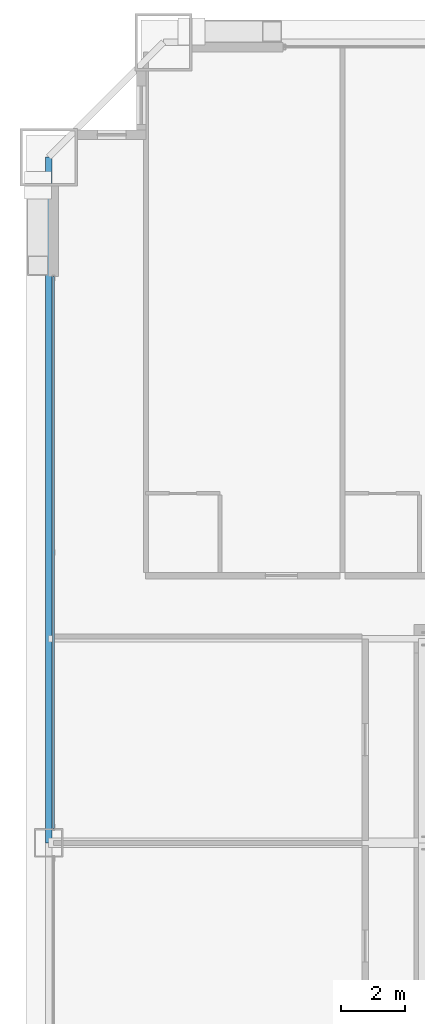
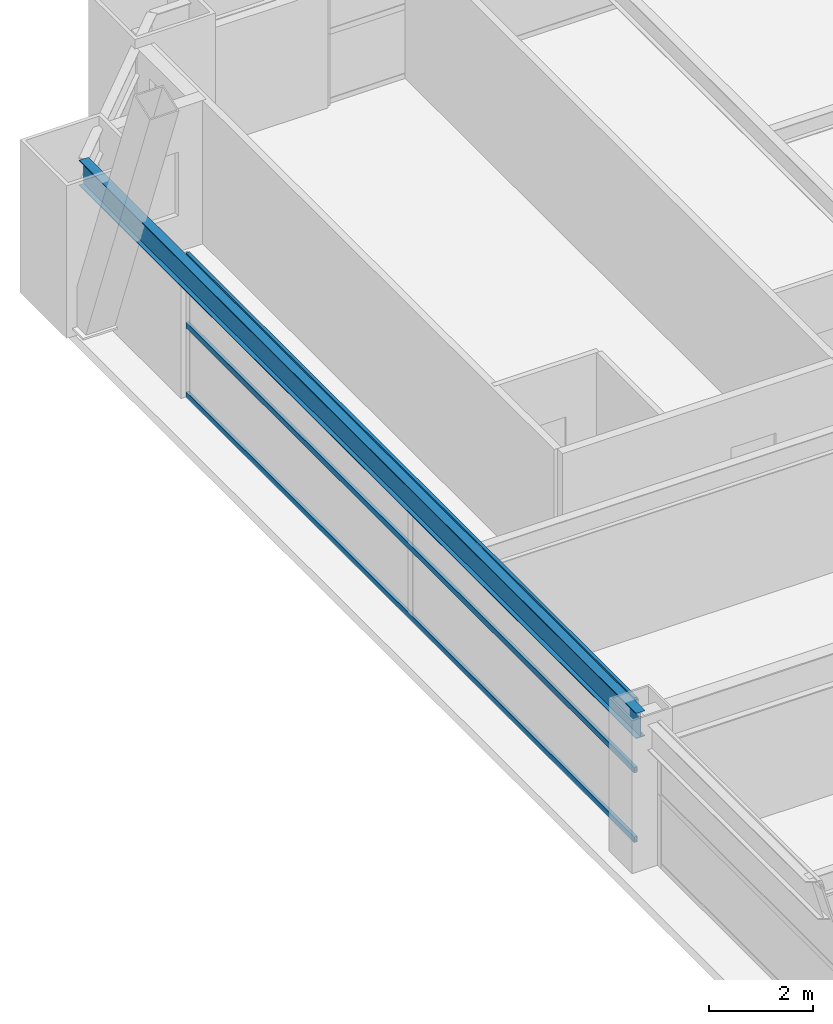
# One storey, part 23 of 43: 3 members, 1 beam, 1 element without a shape of its own.
"""IFC4 building model written with IfcOpenShell, lengths in metres."""

from ifc_helpers import new_model, si_unit, direction, frame, origin, origin_2d, place, context, subcontext, project, spatial, hollow_rectangle, i_section, extrude, source, transform, mapped, material, layer, layer_set, material_profile, profile_set, type_object, element, aggregate, save


model = new_model("IFC4")

# Units and contexts
model_context = context("Model", 3, precision=1e-05, world=origin(), true_north=direction((0.0, 1.0)))
body_context = subcontext(model_context, "Body", "Model", "MODEL_VIEW")
ifc_project = project(units=[si_unit("LENGTHUNIT", "METRE"), si_unit("AREAUNIT", "SQUARE_METRE"), si_unit("VOLUMEUNIT", "CUBIC_METRE"), si_unit("PLANEANGLEUNIT", "RADIAN"), si_unit("MASSUNIT", "GRAM", prefix="KILO"), si_unit("THERMODYNAMICTEMPERATUREUNIT", "KELVIN"), si_unit("POWERUNIT", "WATT")], contexts=[model_context])

# Site, building, storey
site_placement = place(None, origin())
site = spatial("IfcSite", under=ifc_project, at=site_placement, CompositionType="ELEMENT")
building_placement = place(site_placement, origin())
building = spatial("IfcBuilding", under=site, at=building_placement, Name="Yuzanri Waterfront Tower", CompositionType="ELEMENT")
storey_placement = place(building_placement, frame((0.0, 0.0, 67.60009765625)))
storey = spatial("IfcBuildingStorey", under=building, at=storey_placement, Name="L17", CompositionType="ELEMENT", Elevation=67.60009765625)

# Beam
ifc_material_1 = material(Name="Steel Q355B", Category="steel")
ifc_material_profile_1 = material_profile(ifc_material_1, i_section(OverallWidth=0.199951171875, OverallDepth=0.60009765625, WebThickness=0.010986328125, FlangeThickness=0.01708984375, at=origin_2d()), Name="HN 600x200x11x17")
ifc_profile_set_1 = profile_set([ifc_material_profile_1], Name="Steel Q355B")
beam_type = type_object("IfcBeamType", Name="Perimeter Spandrel Q355B HN 600x200", PredefinedType="SPANDREL", material=ifc_profile_set_1)
shared_shape_1 = source(origin(), body_context, "Body", "SweptSolid", [
    extrude(i_section(OverallWidth=0.199951171875, OverallDepth=0.60009765625, WebThickness=0.010986328125, FlangeThickness=0.01708984375, at=origin_2d()), origin(), (0.0, 0.0, 1.0), 21.5),
])
beam_placement = place(storey_placement, frame((11.89990234375, 47.300048828125, 3.079833984375), z_axis=(0.0, -1.0, 0.0), x_axis=(1.0, 0.0, 0.0)))
element("IfcBeam", 1, at=beam_placement, inside=storey, type_object=beam_type, Name="L17 Perimeter Spandrel W3-W2", PredefinedType="SPANDREL", context=body_context, shape_type="MappedRepresentation", body=[
    mapped(shared_shape_1, transform((0.0, 0.0, 0.0), scale=1.0)),
])

# Curtain wall, members
ifc_material_2 = material(Name="Anodized Architectural Bronze", Category="metal")
ifc_layer = layer(ifc_material_2, 0.159912109375)
ifc_layer_set = layer_set([ifc_layer], Name="Anodized Architectural Bronze")
curtain_wall_type = type_object("IfcCurtainWallType", Name="Anodized Bronze Hotel Lower-Tier Recessed Unitized Curtain Wall 8100", PredefinedType="NOTDEFINED", material=ifc_layer_set)
curtain_wall_placement = place(storey_placement, origin())
curtain_wall = element("IfcCurtainWall", 2, at=curtain_wall_placement, inside=storey, type_object=curtain_wall_type, Name="L17 Curtain Wall CW-L17-WR", PredefinedType="NOTDEFINED")
ifc_material_3 = material(Name="Anodized Architectural Bronze", Category="metal")
ifc_material_profile_2 = material_profile(ifc_material_3, hollow_rectangle(XDim=0.070068359375, YDim=0.135009765625, WallThickness=0.00341796875, at=origin_2d()), Name="CWT 70x135")
ifc_profile_set_2 = profile_set([ifc_material_profile_2], Name="Anodized Architectural Bronze")
member_type = type_object("IfcMemberType", Name="Anodized Bronze Standard Curtain-Wall Transom 70x135", PredefinedType="USERDEFINED", material=ifc_profile_set_2)
shared_shape_2 = source(origin(), body_context, "Body", "SweptSolid", [
    extrude(hollow_rectangle(XDim=0.070068359375, YDim=0.135009765625, WallThickness=0.00341796875, at=origin_2d()), origin(), (0.0, 0.0, 1.0), 17.300048828125),
])
member_1_placement = place(storey_placement, frame((12.050048828125, 26.25, 0.0498046875), z_axis=(0.0, 1.0, 0.0), x_axis=(-1.0, 0.0, 0.0)))
member_1 = element("IfcMember", 3, at=member_1_placement, type_object=member_type, Name="CW-L17-WR Transom 1", ObjectType="TRANSOM", PredefinedType="USERDEFINED", context=body_context, shape_type="MappedRepresentation", body=[
    mapped(shared_shape_2, transform((0.0, 0.0, 0.0), scale=1.0)),
])
member_2_placement = place(storey_placement, frame((12.050048828125, 26.25, 1.68994140625), z_axis=(0.0, 1.0, 0.0), x_axis=(-1.0, 0.0, 0.0)))
member_2 = element("IfcMember", 4, at=member_2_placement, type_object=member_type, Name="CW-L17-WR Transom 2", ObjectType="TRANSOM", PredefinedType="USERDEFINED", context=body_context, shape_type="MappedRepresentation", body=[
    mapped(shared_shape_2, transform((0.0, 0.0, 0.0), scale=1.0)),
])
member_3_placement = place(storey_placement, frame((12.050048828125, 26.25, 3.329833984375), z_axis=(0.0, 1.0, 0.0), x_axis=(-1.0, 0.0, 0.0)))
member_3 = element("IfcMember", 5, at=member_3_placement, type_object=member_type, Name="CW-L17-WR Transom 3", ObjectType="TRANSOM", PredefinedType="USERDEFINED", context=body_context, shape_type="MappedRepresentation", body=[
    mapped(shared_shape_2, transform((0.0, 0.0, 0.0), scale=1.0)),
])
aggregate(curtain_wall, [member_1, member_2, member_3])

save(model, "model.ifc")
